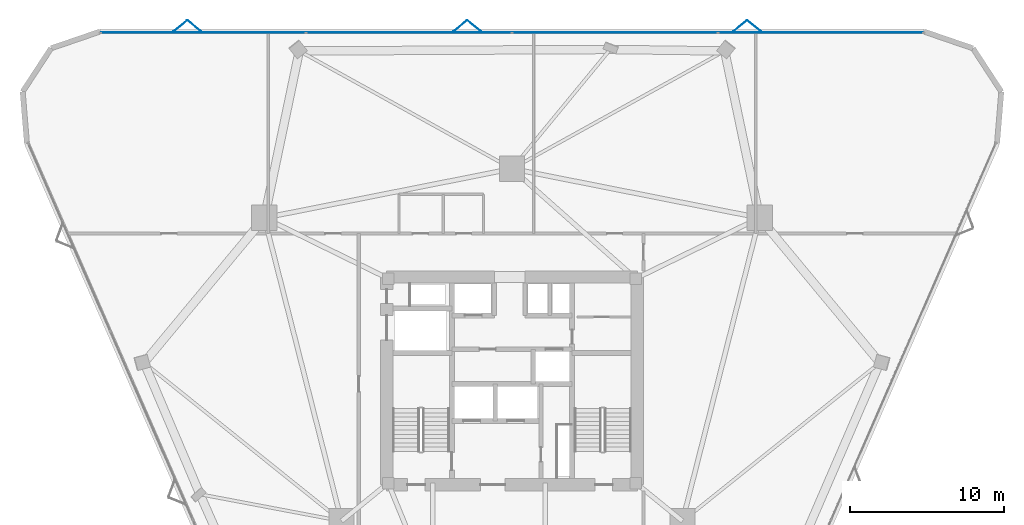
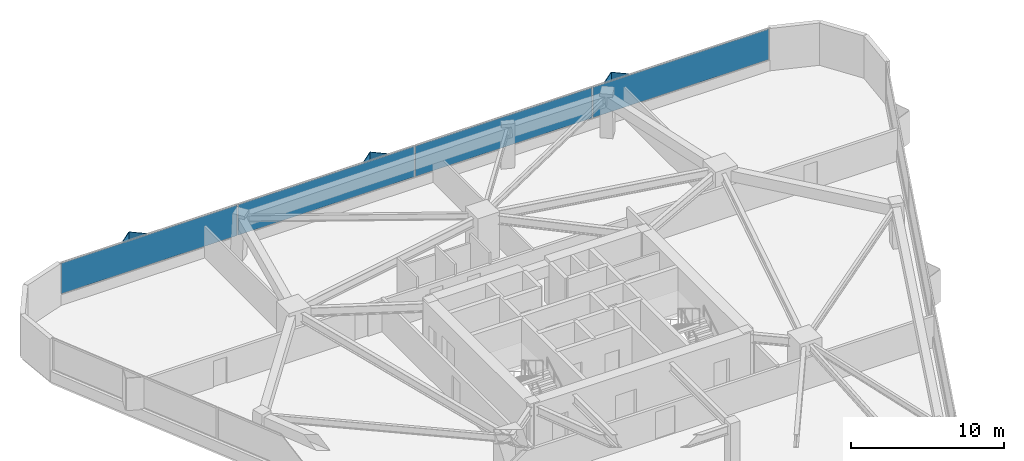
# One storey, part 14 of 19: 10 plates, 1 element without a shape of its own.
"""IFC4 building model written with IfcOpenShell, lengths in metres."""

from ifc_helpers import new_model, si_unit, direction, frame, origin, origin_2d, place, context, subcontext, project, spatial, rectangle, extrude, material, layer, layer_set, type_object, element, aggregate, save


model = new_model("IFC4")

# Units and contexts
model_context = context("Model", 3, precision=1e-05, world=origin(), true_north=direction((0.0, 1.0)))
body_context = subcontext(model_context, "Body", "Model", "MODEL_VIEW")
ifc_project = project(units=[si_unit("LENGTHUNIT", "METRE"), si_unit("AREAUNIT", "SQUARE_METRE"), si_unit("VOLUMEUNIT", "CUBIC_METRE"), si_unit("PLANEANGLEUNIT", "RADIAN"), si_unit("MASSUNIT", "GRAM", prefix="KILO")], contexts=[model_context])

# Site, building, storey
site_placement = place(None, origin())
site = spatial("IfcSite", under=ifc_project, at=site_placement, CompositionType="ELEMENT")
building_placement = place(site_placement, origin())
building = spatial("IfcBuilding", under=site, at=building_placement, Name="Talyreon Biosciences Tower", CompositionType="ELEMENT")
storey_placement = place(building_placement, frame((0.0, 0.0, 82.300048828125)))
storey = spatial("IfcBuildingStorey", under=building, at=storey_placement, Name="L21", CompositionType="ELEMENT", Elevation=82.300048828125)

# Curtain wall, plates
ifc_material_1 = material(Name="Thermally broken aluminium and low-E glazing", Category="aluminium")
ifc_layer_1 = layer(ifc_material_1, 0.18994140625)
ifc_layer_set_1 = layer_set([ifc_layer_1], Name="Thermally broken aluminium and low-E glazing")
curtain_wall_type = type_object("IfcCurtainWallType", Name="CurtainWall_Zone2Genomics", PredefinedType="NOTDEFINED", material=ifc_layer_set_1)
curtain_wall_placement = place(storey_placement, origin())
curtain_wall = element("IfcCurtainWall", 1, at=curtain_wall_placement, inside=storey, type_object=curtain_wall_type, Name="L21 Unitised Curtain Wall FCW-L21-04", PredefinedType="NOTDEFINED")
ifc_material_2 = material(Name="Triple-silver low-E insulated glazing", Category="glass")
ifc_layer_2 = layer(ifc_material_2, 0.031982421875)
ifc_layer_set_2 = layer_set([ifc_layer_2], Name="Triple-silver low-E insulated glazing")
plate_type_1 = type_object("IfcPlateType", Name="CWGlazingPanel_32", PredefinedType="CURTAIN_PANEL", material=ifc_layer_set_2)
plate_1_placement = place(storey_placement, frame((45.927734375, 90.64013671875, 0.875), z_axis=(0.0, 0.0, 1.0), x_axis=(1.0, 0.0, 0.0)))
plate_1 = element("IfcPlate", 2, at=plate_1_placement, type_object=plate_type_1, Name="CW3 panel 1.1", PredefinedType="CURTAIN_PANEL", context=body_context, shape_type="SweptSolid", body=[
    extrude(rectangle(XDim=13.294921875, YDim=0.031982421875, at=origin_2d()), origin(), (0.0, 0.0, 1.0), 2.43505859375),
])
plate_2_placement = place(storey_placement, frame((59.303955078125, 90.64013671875, 0.875), z_axis=(0.0, 0.0, 1.0), x_axis=(1.0, 0.0, 0.0)))
plate_2 = element("IfcPlate", 3, at=plate_2_placement, type_object=plate_type_1, Name="CW3 panel 2.1", PredefinedType="CURTAIN_PANEL", context=body_context, shape_type="SweptSolid", body=[
    extrude(rectangle(XDim=13.327392578125, YDim=0.031982421875, at=origin_2d()), origin(), (0.0, 0.0, 1.0), 2.43505859375),
])
plate_3_placement = place(storey_placement, frame((72.696044921875, 90.64013671875, 0.875), z_axis=(0.0, 0.0, 1.0), x_axis=(1.0, 0.0, 0.0)))
plate_3 = element("IfcPlate", 4, at=plate_3_placement, type_object=plate_type_1, Name="CW3 panel 3.1", PredefinedType="CURTAIN_PANEL", context=body_context, shape_type="SweptSolid", body=[
    extrude(rectangle(XDim=13.327392578125, YDim=0.031982421875, at=origin_2d()), origin(), (0.0, 0.0, 1.0), 2.43505859375),
])
plate_4_placement = place(storey_placement, frame((86.072265625, 90.64013671875, 0.875), z_axis=(0.0, 0.0, 1.0), x_axis=(1.0, 0.0, 0.0)))
plate_4 = element("IfcPlate", 5, at=plate_4_placement, type_object=plate_type_1, Name="CW3 panel 4.1", PredefinedType="CURTAIN_PANEL", context=body_context, shape_type="SweptSolid", body=[
    extrude(rectangle(XDim=13.294921875, YDim=0.031982421875, at=origin_2d()), origin(), (0.0, 0.0, 1.0), 2.43505859375),
])
aggregate(curtain_wall, [plate_1, plate_2, plate_3, plate_4])

# Plates
ifc_material_3 = material(Name="Ivory GFRC sunshade panel", Category="concrete")
ifc_layer_3 = layer(ifc_material_3, 0.044921875)
ifc_layer_set_3 = layer_set([ifc_layer_3], Name="Ivory GFRC sunshade panel")
plate_type_2 = type_object("IfcPlateType", Name="FoldedVSunshade_NorthFace_SUNSHADE", PredefinedType="USERDEFINED", material=ifc_layer_set_3)
for number, where, z_axis, x_axis, name in (
    (6, (44.435302734375, 91.080078125, 0.7900390625), (0.0, 0.0, 1.0), (0.771624583388, 0.636078220278, 0.0), "L21 Folded V-Sunshade Panel 04.01L"),
    (7, (45.33544921875, 91.080078125, 0.7900390625), (0.0, 0.0, 1.0), (0.771624583388, -0.636078220278, 0.0), "L21 Folded V-Sunshade Panel 04.01R"),
    (8, (62.635498046875, 91.080078125, 0.7900390625), (0.0, 0.0, 1.0), (0.771624583388, 0.636078220278, 0.0), "L21 Folded V-Sunshade Panel 04.02L"),
    (9, (63.535400390625, 91.080078125, 0.7900390625), (0.0, 0.0, 1.0), (0.771624583388, -0.636078220278, 0.0), "L21 Folded V-Sunshade Panel 04.02R"),
    (10, (80.83544921875, 91.080078125, 0.7900390625), (0.0, 0.0, 1.0), (0.771624583388, 0.636078220278, 0.0), "L21 Folded V-Sunshade Panel 04.03L"),
    (11, (81.7353515625, 91.080078125, 0.7900390625), (0.0, 0.0, 1.0), (0.771624583388, -0.636078220278, 0.0), "L21 Folded V-Sunshade Panel 04.03R"),
):
    element("IfcPlate", number, at=place(storey_placement, frame(where, z_axis=z_axis, x_axis=x_axis)), inside=storey, type_object=plate_type_2, Name=name, ObjectType="SUNSHADE", PredefinedType="USERDEFINED", context=body_context, shape_type="SweptSolid", body=[
        extrude(rectangle(XDim=1.14990234375, YDim=0.044921875, at=origin_2d()), origin(), (0.0, 0.0, 1.0), 2.5849609375),
    ])

save(model, "model.ifc")
